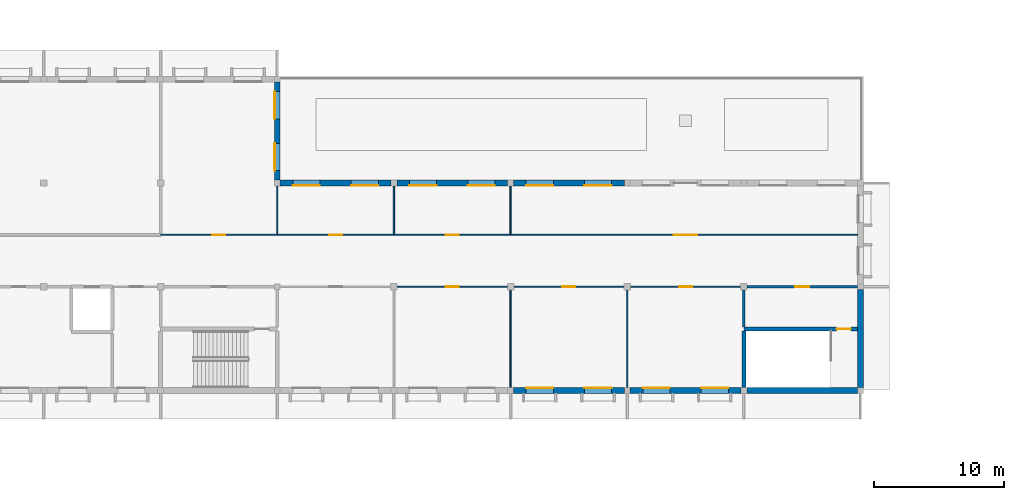
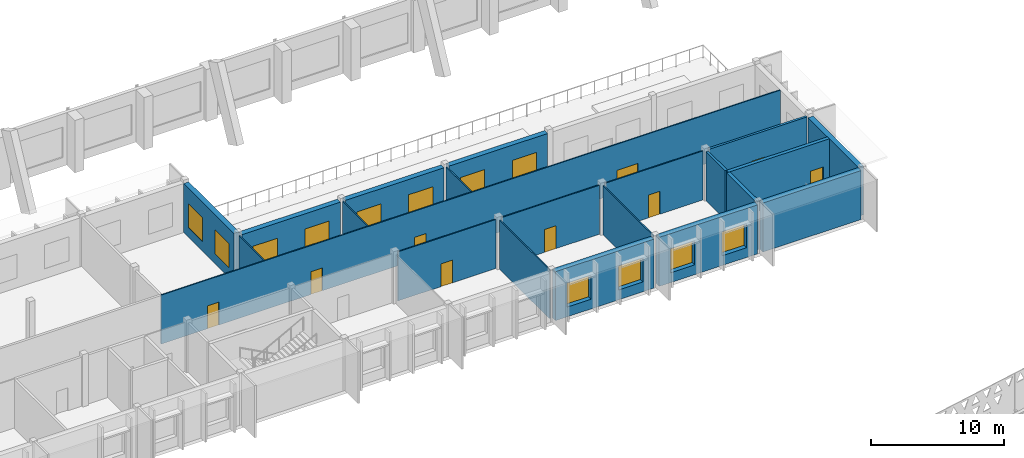
# One storey, part 128 of 182: 21 walls, 12 windows, 9 doors, 21 openings.
"""IFC4 building model written with IfcOpenShell, lengths in metres."""

from ifc_helpers import new_model, si_unit, direction, frame, frame_2d, origin, place, context, subcontext, project, spatial, rectangle, extrude, material, layer, layer_set, type_object, element, fill, save


model = new_model("IFC4")

# Units and contexts
model_context = context("Model", 3, precision=1e-05, world=origin(), true_north=direction((0.0, 1.0)))
body_context = subcontext(model_context, "Body", "Model", "MODEL_VIEW")
ifc_project = project(units=[si_unit("LENGTHUNIT", "METRE"), si_unit("AREAUNIT", "SQUARE_METRE"), si_unit("VOLUMEUNIT", "CUBIC_METRE"), si_unit("PLANEANGLEUNIT", "RADIAN"), si_unit("MASSUNIT", "GRAM", prefix="KILO")], contexts=[model_context])

# Site, building, storey
site_placement = place(None, origin())
site = spatial("IfcSite", under=ifc_project, at=site_placement, CompositionType="ELEMENT")
building_placement = place(site_placement, origin())
building = spatial("IfcBuilding", under=site, at=building_placement, Name="Okhra Congress Centre", CompositionType="ELEMENT")
storey_placement = place(building_placement, frame((0.0, 0.0, 7.199951171875)))
storey = spatial("IfcBuildingStorey", under=building, at=storey_placement, Name="L01", CompositionType="ELEMENT", Elevation=7.199951171875)

# Wall, opening, door
ifc_material_1 = material(Name="Masonry blockwork (aerated concrete D500)", Category="masonry")
ifc_layer_1 = layer(ifc_material_1, 0.199951171875)
ifc_layer_set_1 = layer_set([ifc_layer_1], Name="Masonry block wall 200 EI 45")
wall_type_1 = type_object("IfcWallType", Name="Masonry block wall 200 EI 45", PredefinedType="SOLIDWALL", material=ifc_layer_set_1)
wall_1_placement = place(storey_placement, frame((109.25, 104.0, 0.0), z_axis=(0.0, 0.0, 1.0), x_axis=(1.0, 0.0, 0.0)))
wall_1 = element("IfcWall", 1, at=wall_1_placement, inside=storey, type_object=wall_type_1, Name="SV.WALL.L01.27", PredefinedType="SOLIDWALL", context=body_context, shape_type="SweptSolid", body=[
    extrude(rectangle(XDim=8.52490234375, YDim=0.199951171875, at=frame_2d((4.262451171875, 0.0))), origin(), (0.0, 0.0, 1.0), 4.5),
])
opening_1_placement = place(wall_1_placement, frame((3.699951171875, 0.0, 0.0)))
opening_1 = element("IfcOpeningElement", 2, at=opening_1_placement, cuts=wall_1, Name="Opening L01-036", PredefinedType="OPENING", context=body_context, shape_type="SweptSolid", body=[
    extrude(rectangle(XDim=1.10009765625, YDim=2.10009765625, at=frame_2d((0.550048828125, 1.050048828125))), frame((0.0, 0.10986328125, 0.0), z_axis=(0.0, -1.0, 0.0), x_axis=(1.0, 0.0, 0.0)), (0.0, 0.0, 1.0), 0.219970703125),
])
ifc_material_2 = material(Name="Steel fire door leaf in steel frame, intumescent seals", Category="steel")
door_type_1 = type_object("IfcDoorType", Name="Steel fire door 1100x2100 EI 30", OperationType="NOTDEFINED", PredefinedType="DOOR", material=ifc_material_2)
door_1_placement = place(opening_1_placement, frame((1.10009765625, 0.0, 0.0), z_axis=(0.0, 0.0, 1.0), x_axis=(-1.0, 0.0, 0.0)))
door_1 = element("IfcDoor", 3, at=door_1_placement, inside=storey, type_object=door_type_1, Name="Door L01-036", OperationType="SINGLE_SWING_RIGHT", OverallHeight=2.10009765625, OverallWidth=1.10009765625, PredefinedType="DOOR", context=body_context, shape_type="SweptSolid", body=[
    extrude(rectangle(XDim=1.10009765625, YDim=2.10009765625, at=frame_2d((0.550048828125, 1.050048828125))), frame((0.0, 0.02490234375, 0.0), z_axis=(0.0, -1.0, 0.0), x_axis=(1.0, 0.0, 0.0)), (0.0, 0.0, 1.0), 0.050048828125),
])
fill(opening_1, door_1)

# Wall
wall_2_placement = place(storey_placement, frame((109.0, 100.875, 0.0), z_axis=(0.0, 0.0, 1.0), x_axis=(0.0, 1.0, 0.0)))
element("IfcWall", 4, at=wall_2_placement, inside=storey, type_object=wall_type_1, Name="SV.WALL.L01.63", PredefinedType="SOLIDWALL", context=body_context, shape_type="SweptSolid", body=[
    extrude(rectangle(XDim=2.875, YDim=0.199951171875, at=frame_2d((1.4375, 0.0))), origin(), (0.0, 0.0, 1.0), 4.5),
])

# Wall, opening, door
ifc_material_3 = material(Name="Gypsum board on steel studs", Category="steel")
ifc_layer_2 = layer(ifc_material_3, 0.10009765625)
ifc_layer_set_2 = layer_set([ifc_layer_2], Name="Partition 100 EI 15")
wall_type_2 = type_object("IfcWallType", Name="Partition 100 EI 15", PredefinedType="PARTITIONING", material=ifc_layer_set_2)
wall_3_placement = place(storey_placement, frame((82.25, 104.0, 0.0), z_axis=(0.0, 0.0, 1.0), x_axis=(1.0, 0.0, 0.0)))
wall_3 = element("IfcWall", 5, at=wall_3_placement, inside=storey, type_object=wall_type_2, Name="SV.WALL.L01.24", PredefinedType="PARTITIONING", context=body_context, shape_type="SweptSolid", body=[
    extrude(rectangle(XDim=8.5, YDim=0.10009765625, at=frame_2d((4.25, 0.0))), origin(), (0.0, 0.0, 1.0), 4.5),
])
opening_2_placement = place(wall_3_placement, frame((3.75, 0.0, 0.0)))
opening_2 = element("IfcOpeningElement", 6, at=opening_2_placement, cuts=wall_3, Name="Opening L01-044", PredefinedType="OPENING", context=body_context, shape_type="SweptSolid", body=[
    extrude(rectangle(XDim=1.0, YDim=2.10009765625, at=frame_2d((0.5, 1.050048828125))), frame((0.0, 0.06005859375, 0.0), z_axis=(0.0, -1.0, 0.0), x_axis=(1.0, 0.0, 0.0)), (0.0, 0.0, 1.0), 0.1201171875),
])
ifc_material_4 = material(Name="Timber door leaf in steel frame", Category="steel")
door_type_2 = type_object("IfcDoorType", Name="Single swing door 1000x2100", OperationType="NOTDEFINED", PredefinedType="DOOR", material=ifc_material_4)
door_2_placement = place(opening_2_placement, origin())
door_2 = element("IfcDoor", 7, at=door_2_placement, inside=storey, type_object=door_type_2, Name="Door L01-044", OperationType="SINGLE_SWING_LEFT", OverallHeight=2.10009765625, OverallWidth=1.0, PredefinedType="DOOR", context=body_context, shape_type="SweptSolid", body=[
    extrude(rectangle(XDim=1.0, YDim=2.10009765625, at=frame_2d((0.5, 1.050048828125))), frame((0.0, 0.02490234375, 0.0), z_axis=(0.0, -1.0, 0.0), x_axis=(1.0, 0.0, 0.0)), (0.0, 0.0, 1.0), 0.050048828125),
])
fill(opening_2, door_2)

wall_4_placement = place(storey_placement, frame((91.25, 104.0, 0.0), z_axis=(0.0, 0.0, 1.0), x_axis=(1.0, 0.0, 0.0)))
wall_4 = element("IfcWall", 8, at=wall_4_placement, inside=storey, type_object=wall_type_2, Name="SV.WALL.L01.25", PredefinedType="PARTITIONING", context=body_context, shape_type="SweptSolid", body=[
    extrude(rectangle(XDim=8.5, YDim=0.10009765625, at=frame_2d((4.25, 0.0))), origin(), (0.0, 0.0, 1.0), 4.5),
])
opening_3_placement = place(wall_4_placement, frame((3.75, 0.0, 0.0)))
opening_3 = element("IfcOpeningElement", 9, at=opening_3_placement, cuts=wall_4, Name="Opening L01-045", PredefinedType="OPENING", context=body_context, shape_type="SweptSolid", body=[
    extrude(rectangle(XDim=1.0, YDim=2.10009765625, at=frame_2d((0.5, 1.050048828125))), frame((0.0, 0.06005859375, 0.0), z_axis=(0.0, -1.0, 0.0), x_axis=(1.0, 0.0, 0.0)), (0.0, 0.0, 1.0), 0.1201171875),
])
door_3_placement = place(opening_3_placement, origin())
door_3 = element("IfcDoor", 10, at=door_3_placement, inside=storey, type_object=door_type_2, Name="Door L01-045", OperationType="SINGLE_SWING_RIGHT", OverallHeight=2.10009765625, OverallWidth=1.0, PredefinedType="DOOR", context=body_context, shape_type="SweptSolid", body=[
    extrude(rectangle(XDim=1.0, YDim=2.10009765625, at=frame_2d((0.5, 1.050048828125))), frame((0.0, 0.02490234375, 0.0), z_axis=(0.0, -1.0, 0.0), x_axis=(1.0, 0.0, 0.0)), (0.0, 0.0, 1.0), 0.050048828125),
])
fill(opening_3, door_3)

wall_5_placement = place(storey_placement, frame((100.25, 104.0, 0.0), z_axis=(0.0, 0.0, 1.0), x_axis=(1.0, 0.0, 0.0)))
wall_5 = element("IfcWall", 11, at=wall_5_placement, inside=storey, type_object=wall_type_2, Name="SV.WALL.L01.26", PredefinedType="PARTITIONING", context=body_context, shape_type="SweptSolid", body=[
    extrude(rectangle(XDim=8.5, YDim=0.10009765625, at=frame_2d((4.25, 0.0))), origin(), (0.0, 0.0, 1.0), 4.5),
])
opening_4_placement = place(wall_5_placement, frame((3.75, 0.0, 0.0)))
opening_4 = element("IfcOpeningElement", 12, at=opening_4_placement, cuts=wall_5, Name="Opening L01-046", PredefinedType="OPENING", context=body_context, shape_type="SweptSolid", body=[
    extrude(rectangle(XDim=1.0, YDim=2.10009765625, at=frame_2d((0.5, 1.050048828125))), frame((0.0, 0.06005859375, 0.0), z_axis=(0.0, -1.0, 0.0), x_axis=(1.0, 0.0, 0.0)), (0.0, 0.0, 1.0), 0.1201171875),
])
door_4_placement = place(opening_4_placement, origin())
door_4 = element("IfcDoor", 13, at=door_4_placement, inside=storey, type_object=door_type_2, Name="Door L01-046", OperationType="SINGLE_SWING_LEFT", OverallHeight=2.10009765625, OverallWidth=1.0, PredefinedType="DOOR", context=body_context, shape_type="SweptSolid", body=[
    extrude(rectangle(XDim=1.0, YDim=2.10009765625, at=frame_2d((0.5, 1.050048828125))), frame((0.0, 0.02490234375, 0.0), z_axis=(0.0, -1.0, 0.0), x_axis=(1.0, 0.0, 0.0)), (0.0, 0.0, 1.0), 0.050048828125),
])
fill(opening_4, door_4)

# Wall, openings, doors
wall_6_placement = place(storey_placement, frame((64.0, 108.0, 0.0), z_axis=(0.0, 0.0, 1.0), x_axis=(1.0, 0.0, 0.0)))
wall_6 = element("IfcWall", 14, at=wall_6_placement, inside=storey, type_object=wall_type_2, Name="SV.WALL.L01.29", PredefinedType="PARTITIONING", context=body_context, shape_type="SweptSolid", body=[
    extrude(rectangle(XDim=53.77490234375, YDim=0.10009765625, at=frame_2d((26.887451171875, 0.0))), origin(), (0.0, 0.0, 1.0), 4.5),
])
opening_5_placement = place(wall_6_placement, frame((4.0, 0.0, 0.0)))
opening_5 = element("IfcOpeningElement", 15, at=opening_5_placement, cuts=wall_6, Name="Opening L01-042", PredefinedType="OPENING", context=body_context, shape_type="SweptSolid", body=[
    extrude(rectangle(XDim=1.0, YDim=2.10009765625, at=frame_2d((0.5, 1.050048828125))), frame((0.0, 0.06005859375, 0.0), z_axis=(0.0, -1.0, 0.0), x_axis=(1.0, 0.0, 0.0)), (0.0, 0.0, 1.0), 0.1201171875),
])
opening_6_placement = place(wall_6_placement, frame((13.0, 0.0, 0.0)))
opening_6 = element("IfcOpeningElement", 16, at=opening_6_placement, cuts=wall_6, Name="Opening L01-047", PredefinedType="OPENING", context=body_context, shape_type="SweptSolid", body=[
    extrude(rectangle(XDim=1.0, YDim=2.10009765625, at=frame_2d((0.5, 1.050048828125))), frame((0.0, 0.06005859375, 0.0), z_axis=(0.0, -1.0, 0.0), x_axis=(1.0, 0.0, 0.0)), (0.0, 0.0, 1.0), 0.1201171875),
])
opening_7_placement = place(wall_6_placement, frame((22.0, 0.0, 0.0)))
opening_7 = element("IfcOpeningElement", 17, at=opening_7_placement, cuts=wall_6, Name="Opening L01-048", PredefinedType="OPENING", context=body_context, shape_type="SweptSolid", body=[
    extrude(rectangle(XDim=1.0, YDim=2.10009765625, at=frame_2d((0.5, 1.050048828125))), frame((0.0, 0.06005859375, 0.0), z_axis=(0.0, -1.0, 0.0), x_axis=(1.0, 0.0, 0.0)), (0.0, 0.0, 1.0), 0.1201171875),
])
opening_8_placement = place(wall_6_placement, frame((39.60009765625, 0.0, 0.0)))
opening_8 = element("IfcOpeningElement", 18, at=opening_8_placement, cuts=wall_6, Name="Opening L01-049", PredefinedType="OPENING", context=body_context, shape_type="SweptSolid", body=[
    extrude(rectangle(XDim=1.800048828125, YDim=2.10009765625, at=frame_2d((0.89990234375, 1.050048828125))), frame((0.0, 0.06005859375, 0.0), z_axis=(0.0, -1.0, 0.0), x_axis=(1.0, 0.0, 0.0)), (0.0, 0.0, 1.0), 0.1201171875),
])
ifc_material_5 = material(Name="Timber door leaves in steel frame", Category="steel")
door_type_3 = type_object("IfcDoorType", Name="Double swing door 1800x2100", OperationType="NOTDEFINED", PredefinedType="DOOR", material=ifc_material_5)
door_5_placement = place(opening_8_placement, frame((1.800048828125, 0.0, 0.0), z_axis=(0.0, 0.0, 1.0), x_axis=(-1.0, 0.0, 0.0)))
door_5 = element("IfcDoor", 19, at=door_5_placement, inside=storey, type_object=door_type_3, Name="Door L01-049", OperationType="DOUBLE_DOOR_SINGLE_SWING", OverallHeight=2.10009765625, OverallWidth=1.800048828125, PredefinedType="DOOR", context=body_context, shape_type="SweptSolid", body=[
    extrude(rectangle(XDim=1.800048828125, YDim=2.10009765625, at=frame_2d((0.89990234375, 1.050048828125))), frame((0.0, 0.02490234375, 0.0), z_axis=(0.0, -1.0, 0.0), x_axis=(1.0, 0.0, 0.0)), (0.0, 0.0, 1.0), 0.050048828125),
])
fill(opening_8, door_5)
door_6_placement = place(opening_5_placement, frame((1.0, 0.0, 0.0), z_axis=(0.0, 0.0, 1.0), x_axis=(-1.0, 0.0, 0.0)))
door_6 = element("IfcDoor", 20, at=door_6_placement, inside=storey, type_object=door_type_2, Name="Door L01-042", OperationType="SINGLE_SWING_RIGHT", OverallHeight=2.10009765625, OverallWidth=1.0, PredefinedType="DOOR", context=body_context, shape_type="SweptSolid", body=[
    extrude(rectangle(XDim=1.0, YDim=2.10009765625, at=frame_2d((0.5, 1.050048828125))), frame((0.0, 0.02490234375, 0.0), z_axis=(0.0, -1.0, 0.0), x_axis=(1.0, 0.0, 0.0)), (0.0, 0.0, 1.0), 0.050048828125),
])
fill(opening_5, door_6)
door_7_placement = place(opening_6_placement, frame((1.0, 0.0, 0.0), z_axis=(0.0, 0.0, 1.0), x_axis=(-1.0, 0.0, 0.0)))
door_7 = element("IfcDoor", 21, at=door_7_placement, inside=storey, type_object=door_type_2, Name="Door L01-047", OperationType="SINGLE_SWING_LEFT", OverallHeight=2.10009765625, OverallWidth=1.0, PredefinedType="DOOR", context=body_context, shape_type="SweptSolid", body=[
    extrude(rectangle(XDim=1.0, YDim=2.10009765625, at=frame_2d((0.5, 1.050048828125))), frame((0.0, 0.02490234375, 0.0), z_axis=(0.0, -1.0, 0.0), x_axis=(1.0, 0.0, 0.0)), (0.0, 0.0, 1.0), 0.050048828125),
])
fill(opening_6, door_7)
door_8_placement = place(opening_7_placement, frame((1.0, 0.0, 0.0), z_axis=(0.0, 0.0, 1.0), x_axis=(-1.0, 0.0, 0.0)))
door_8 = element("IfcDoor", 22, at=door_8_placement, inside=storey, type_object=door_type_2, Name="Door L01-048", OperationType="SINGLE_SWING_RIGHT", OverallHeight=2.10009765625, OverallWidth=1.0, PredefinedType="DOOR", context=body_context, shape_type="SweptSolid", body=[
    extrude(rectangle(XDim=1.0, YDim=2.10009765625, at=frame_2d((0.5, 1.050048828125))), frame((0.0, 0.02490234375, 0.0), z_axis=(0.0, -1.0, 0.0), x_axis=(1.0, 0.0, 0.0)), (0.0, 0.0, 1.0), 0.050048828125),
])
fill(opening_7, door_8)

# Walls
for number, where, z_axis, x_axis, name in (
    (23, (73.0, 108.050048828125, 0.0), (0.0, 0.0, 1.0), (0.0, 1.0, 0.0), "SV.WALL.L01.55"),
    (24, (82.0, 108.050048828125, 0.0), (0.0, 0.0, 1.0), (0.0, 1.0, 0.0), "SV.WALL.L01.58"),
):
    element("IfcWall", number, at=place(storey_placement, frame(where, z_axis=z_axis, x_axis=x_axis)), inside=storey, type_object=wall_type_2, Name=name, PredefinedType="PARTITIONING", context=body_context, shape_type="SweptSolid", body=[
        extrude(rectangle(XDim=3.724853515625, YDim=0.10009765625, at=frame_2d((1.8623046875, 0.0))), origin(), (0.0, 0.0, 1.0), 4.5),
    ])
wall_7_placement = place(storey_placement, frame((91.0, 96.22509765625, 0.0), z_axis=(0.0, 0.0, 1.0), x_axis=(0.0, 1.0, 0.0)))
element("IfcWall", 25, at=wall_7_placement, inside=storey, type_object=wall_type_2, Name="SV.WALL.L01.59", PredefinedType="PARTITIONING", context=body_context, shape_type="SweptSolid", body=[
    extrude(rectangle(XDim=7.52490234375, YDim=0.10009765625, at=frame_2d((3.762451171875, 0.0))), origin(), (0.0, 0.0, 1.0), 4.5),
])
wall_8_placement = place(storey_placement, frame((91.0, 108.050048828125, 0.0), z_axis=(0.0, 0.0, 1.0), x_axis=(0.0, 1.0, 0.0)))
element("IfcWall", 26, at=wall_8_placement, inside=storey, type_object=wall_type_2, Name="SV.WALL.L01.60", PredefinedType="PARTITIONING", context=body_context, shape_type="SweptSolid", body=[
    extrude(rectangle(XDim=3.724853515625, YDim=0.10009765625, at=frame_2d((1.8623046875, 0.0))), origin(), (0.0, 0.0, 1.0), 4.5),
])
wall_9_placement = place(storey_placement, frame((100.0, 96.22509765625, 0.0), z_axis=(0.0, 0.0, 1.0), x_axis=(0.0, 1.0, 0.0)))
element("IfcWall", 27, at=wall_9_placement, inside=storey, type_object=wall_type_2, Name="SV.WALL.L01.61", PredefinedType="PARTITIONING", context=body_context, shape_type="SweptSolid", body=[
    extrude(rectangle(XDim=7.52490234375, YDim=0.10009765625, at=frame_2d((3.762451171875, 0.0))), origin(), (0.0, 0.0, 1.0), 4.5),
])

# Wall, opening, door
ifc_material_6 = material(Name="Concrete C35/45", Category="concrete")
ifc_layer_3 = layer(ifc_material_6, 0.300048828125)
ifc_layer_set_3 = layer_set([ifc_layer_3], Name="RC core wall 300 REI 120 C35/45")
wall_type_3 = type_object("IfcWallType", Name="RC core wall 300 REI 120 C35/45", PredefinedType="SHEAR", material=ifc_layer_set_3)
wall_10_placement = place(storey_placement, frame((109.0, 100.72509765625, 0.0), z_axis=(0.0, 0.0, 1.0), x_axis=(1.0, 0.0, 0.0)))
wall_10 = element("IfcWall", 28, at=wall_10_placement, inside=storey, type_object=wall_type_3, Name="SV.WALL.L01.14", PredefinedType="SHEAR", context=body_context, shape_type="SweptSolid", body=[
    extrude(rectangle(XDim=8.77490234375, YDim=0.300048828125, at=frame_2d((4.387451171875, 0.0))), origin(), (0.0, 0.0, 1.0), 4.5),
])
opening_9_placement = place(wall_10_placement, frame((7.14990234375, 0.0, 0.0)))
opening_9 = element("IfcOpeningElement", 29, at=opening_9_placement, cuts=wall_10, Name="Opening L01-037", PredefinedType="OPENING", context=body_context, shape_type="SweptSolid", body=[
    extrude(rectangle(XDim=1.10009765625, YDim=2.10009765625, at=frame_2d((0.550048828125, 1.050048828125))), frame((0.0, 0.159912109375, 0.0), z_axis=(0.0, -1.0, 0.0), x_axis=(1.0, 0.0, 0.0)), (0.0, 0.0, 1.0), 0.320068359375),
])
door_9_placement = place(opening_9_placement, frame((1.10009765625, 0.0, 0.0), z_axis=(0.0, 0.0, 1.0), x_axis=(-1.0, 0.0, 0.0)))
door_9 = element("IfcDoor", 30, at=door_9_placement, inside=storey, type_object=door_type_1, Name="Door L01-037", OperationType="SINGLE_SWING_LEFT", OverallHeight=2.10009765625, OverallWidth=1.10009765625, PredefinedType="DOOR", context=body_context, shape_type="SweptSolid", body=[
    extrude(rectangle(XDim=1.10009765625, YDim=2.10009765625, at=frame_2d((0.550048828125, 1.050048828125))), frame((0.0, 0.02490234375, 0.0), z_axis=(0.0, -1.0, 0.0), x_axis=(1.0, 0.0, 0.0)), (0.0, 0.0, 1.0), 0.050048828125),
])
fill(opening_9, door_9)

# Walls
wall_11_placement = place(storey_placement, frame((109.0, 96.22509765625, 0.0), z_axis=(0.0, 0.0, 1.0), x_axis=(0.0, 1.0, 0.0)))
element("IfcWall", 31, at=wall_11_placement, inside=storey, type_object=wall_type_3, Name="SV.WALL.L01.62", PredefinedType="SHEAR", context=body_context, shape_type="SweptSolid", body=[
    extrude(rectangle(XDim=4.349853515625, YDim=0.300048828125, at=frame_2d((2.1748046875, 0.0))), origin(), (0.0, 0.0, 1.0), 4.5),
])
ifc_material_7 = material(Name="Concrete C30/37", Category="concrete")
ifc_layer_4 = layer(ifc_material_7, 0.449951171875)
ifc_layer_set_4 = layer_set([ifc_layer_4], Name="RC facade wall 450 REI 120 C30/37")
wall_type_4 = type_object("IfcWallType", Name="RC facade wall 450 REI 120 C30/37", PredefinedType="SOLIDWALL", material=ifc_layer_set_4)
wall_12_placement = place(storey_placement, frame((109.22509765625, 96.0, 0.0), z_axis=(0.0, 0.0, 1.0), x_axis=(1.0, 0.0, 0.0)))
element("IfcWall", 32, at=wall_12_placement, inside=storey, type_object=wall_type_4, Name="SV.WALL.L01.10", PredefinedType="SOLIDWALL", context=body_context, shape_type="SweptSolid", body=[
    extrude(rectangle(XDim=8.5498046875, YDim=0.449951171875, at=frame_2d((4.27490234375, 0.0))), origin(), (0.0, 0.0, 1.0), 4.5),
])
wall_13_placement = place(storey_placement, frame((118.0, 96.22509765625, 0.0), z_axis=(0.0, 0.0, 1.0), x_axis=(0.0, 1.0, 0.0)))
element("IfcWall", 33, at=wall_13_placement, inside=storey, type_object=wall_type_4, Name="SV.WALL.L01.64", PredefinedType="SOLIDWALL", context=body_context, shape_type="SweptSolid", body=[
    extrude(rectangle(XDim=7.5498046875, YDim=0.449951171875, at=frame_2d((3.77490234375, 0.0))), origin(), (0.0, 0.0, 1.0), 4.5),
])

# Wall, openings, windows
ifc_material_8 = material(Name="Render on mineral wool insulation over masonry backing", Category="masonry")
ifc_layer_5 = layer(ifc_material_8, 0.449951171875)
ifc_layer_set_5 = layer_set([ifc_layer_5], Name="Rendered insulated wall 450")
wall_type_5 = type_object("IfcWallType", Name="Rendered insulated wall 450", PredefinedType="SOLIDWALL", material=ifc_layer_set_5)
wall_14_placement = place(storey_placement, frame((91.22509765625, 96.0, 0.0), z_axis=(0.0, 0.0, 1.0), x_axis=(1.0, 0.0, 0.0)))
wall_14 = element("IfcWall", 34, at=wall_14_placement, inside=storey, type_object=wall_type_5, Name="SV.WALL.L01.8", PredefinedType="SOLIDWALL", context=body_context, shape_type="SweptSolid", body=[
    extrude(rectangle(XDim=8.5498046875, YDim=0.449951171875, at=frame_2d((4.27490234375, 0.0))), origin(), (0.0, 0.0, 1.0), 4.5),
])
opening_10_placement = place(wall_14_placement, frame((0.97509765625, 0.0, 0.89990234375)))
opening_10 = element("IfcOpeningElement", 35, at=opening_10_placement, cuts=wall_14, Name="Opening WN15", PredefinedType="OPENING", context=body_context, shape_type="SweptSolid", body=[
    extrude(rectangle(XDim=2.10009765625, YDim=2.199951171875, at=frame_2d((1.050048828125, 1.10009765625))), frame((0.0, 0.23486328125, 0.0), z_axis=(0.0, -1.0, 0.0), x_axis=(1.0, 0.0, 0.0)), (0.0, 0.0, 1.0), 0.469970703125),
])
opening_11_placement = place(wall_14_placement, frame((5.47509765625, 0.0, 0.89990234375)))
opening_11 = element("IfcOpeningElement", 36, at=opening_11_placement, cuts=wall_14, Name="Opening WN15", PredefinedType="OPENING", context=body_context, shape_type="SweptSolid", body=[
    extrude(rectangle(XDim=2.10009765625, YDim=2.199951171875, at=frame_2d((1.050048828125, 1.10009765625))), frame((0.0, 0.23486328125, 0.0), z_axis=(0.0, -1.0, 0.0), x_axis=(1.0, 0.0, 0.0)), (0.0, 0.0, 1.0), 0.469970703125),
])
ifc_material_9 = material(Name="Thermally broken aluminium frame, triple glazing", Category="aluminium")
window_type = type_object("IfcWindowType", Name="Tilt-and-turn window 2100x2200", PartitioningType="SINGLE_PANEL", PredefinedType="WINDOW", material=ifc_material_9)
window_1_placement = place(opening_10_placement, origin())
window_1 = element("IfcWindow", 37, at=window_1_placement, inside=storey, type_object=window_type, Name="SV.WIN.L01.10", OverallHeight=2.199951171875, OverallWidth=2.10009765625, PartitioningType="SINGLE_PANEL", PredefinedType="WINDOW", context=body_context, shape_type="SweptSolid", body=[
    extrude(rectangle(XDim=2.10009765625, YDim=2.199951171875, at=frame_2d((1.050048828125, 1.10009765625))), frame((0.0, 0.215087890625, 0.0), z_axis=(0.0, -1.0, 0.0), x_axis=(1.0, 0.0, 0.0)), (0.0, 0.0, 1.0), 0.06005859375),
])
fill(opening_10, window_1)
window_2_placement = place(opening_11_placement, origin())
window_2 = element("IfcWindow", 38, at=window_2_placement, inside=storey, type_object=window_type, Name="SV.WIN.L01.11", OverallHeight=2.199951171875, OverallWidth=2.10009765625, PartitioningType="SINGLE_PANEL", PredefinedType="WINDOW", context=body_context, shape_type="SweptSolid", body=[
    extrude(rectangle(XDim=2.10009765625, YDim=2.199951171875, at=frame_2d((1.050048828125, 1.10009765625))), frame((0.0, 0.215087890625, 0.0), z_axis=(0.0, -1.0, 0.0), x_axis=(1.0, 0.0, 0.0)), (0.0, 0.0, 1.0), 0.06005859375),
])
fill(opening_11, window_2)

wall_15_placement = place(storey_placement, frame((100.22509765625, 96.0, 0.0), z_axis=(0.0, 0.0, 1.0), x_axis=(1.0, 0.0, 0.0)))
wall_15 = element("IfcWall", 39, at=wall_15_placement, inside=storey, type_object=wall_type_5, Name="SV.WALL.L01.9", PredefinedType="SOLIDWALL", context=body_context, shape_type="SweptSolid", body=[
    extrude(rectangle(XDim=8.5498046875, YDim=0.449951171875, at=frame_2d((4.27490234375, 0.0))), origin(), (0.0, 0.0, 1.0), 4.5),
])
opening_12_placement = place(wall_15_placement, frame((0.97509765625, 0.0, 0.89990234375)))
opening_12 = element("IfcOpeningElement", 40, at=opening_12_placement, cuts=wall_15, Name="Opening WN15", PredefinedType="OPENING", context=body_context, shape_type="SweptSolid", body=[
    extrude(rectangle(XDim=2.10009765625, YDim=2.199951171875, at=frame_2d((1.050048828125, 1.10009765625))), frame((0.0, 0.23486328125, 0.0), z_axis=(0.0, -1.0, 0.0), x_axis=(1.0, 0.0, 0.0)), (0.0, 0.0, 1.0), 0.469970703125),
])
opening_13_placement = place(wall_15_placement, frame((5.47509765625, 0.0, 0.89990234375)))
opening_13 = element("IfcOpeningElement", 41, at=opening_13_placement, cuts=wall_15, Name="Opening WN15", PredefinedType="OPENING", context=body_context, shape_type="SweptSolid", body=[
    extrude(rectangle(XDim=2.10009765625, YDim=2.199951171875, at=frame_2d((1.050048828125, 1.10009765625))), frame((0.0, 0.23486328125, 0.0), z_axis=(0.0, -1.0, 0.0), x_axis=(1.0, 0.0, 0.0)), (0.0, 0.0, 1.0), 0.469970703125),
])
window_3_placement = place(opening_12_placement, origin())
window_3 = element("IfcWindow", 42, at=window_3_placement, inside=storey, type_object=window_type, Name="SV.WIN.L01.12", OverallHeight=2.199951171875, OverallWidth=2.10009765625, PartitioningType="SINGLE_PANEL", PredefinedType="WINDOW", context=body_context, shape_type="SweptSolid", body=[
    extrude(rectangle(XDim=2.10009765625, YDim=2.199951171875, at=frame_2d((1.050048828125, 1.10009765625))), frame((0.0, 0.215087890625, 0.0), z_axis=(0.0, -1.0, 0.0), x_axis=(1.0, 0.0, 0.0)), (0.0, 0.0, 1.0), 0.06005859375),
])
fill(opening_12, window_3)
window_4_placement = place(opening_13_placement, origin())
window_4 = element("IfcWindow", 43, at=window_4_placement, inside=storey, type_object=window_type, Name="SV.WIN.L01.13", OverallHeight=2.199951171875, OverallWidth=2.10009765625, PartitioningType="SINGLE_PANEL", PredefinedType="WINDOW", context=body_context, shape_type="SweptSolid", body=[
    extrude(rectangle(XDim=2.10009765625, YDim=2.199951171875, at=frame_2d((1.050048828125, 1.10009765625))), frame((0.0, 0.215087890625, 0.0), z_axis=(0.0, -1.0, 0.0), x_axis=(1.0, 0.0, 0.0)), (0.0, 0.0, 1.0), 0.06005859375),
])
fill(opening_13, window_4)

wall_16_placement = place(storey_placement, frame((81.77490234375, 112.0, 0.0), z_axis=(0.0, 0.0, 1.0), x_axis=(-1.0, 0.0, 0.0)))
wall_16 = element("IfcWall", 44, at=wall_16_placement, inside=storey, type_object=wall_type_5, Name="SV.WALL.L01.30", PredefinedType="SOLIDWALL", context=body_context, shape_type="SweptSolid", body=[
    extrude(rectangle(XDim=8.5498046875, YDim=0.449951171875, at=frame_2d((4.27490234375, 0.0))), origin(), (0.0, 0.0, 1.0), 4.5),
])
opening_14_placement = place(wall_16_placement, frame((5.47509765625, 0.0, 0.89990234375)))
opening_14 = element("IfcOpeningElement", 45, at=opening_14_placement, cuts=wall_16, Name="Opening WN15", PredefinedType="OPENING", context=body_context, shape_type="SweptSolid", body=[
    extrude(rectangle(XDim=2.10009765625, YDim=2.199951171875, at=frame_2d((1.050048828125, 1.10009765625))), frame((0.0, 0.23486328125, 0.0), z_axis=(0.0, -1.0, 0.0), x_axis=(1.0, 0.0, 0.0)), (0.0, 0.0, 1.0), 0.469970703125),
])
opening_15_placement = place(wall_16_placement, frame((0.97509765625, 0.0, 0.89990234375)))
opening_15 = element("IfcOpeningElement", 46, at=opening_15_placement, cuts=wall_16, Name="Opening WN15", PredefinedType="OPENING", context=body_context, shape_type="SweptSolid", body=[
    extrude(rectangle(XDim=2.10009765625, YDim=2.199951171875, at=frame_2d((1.050048828125, 1.10009765625))), frame((0.0, 0.23486328125, 0.0), z_axis=(0.0, -1.0, 0.0), x_axis=(1.0, 0.0, 0.0)), (0.0, 0.0, 1.0), 0.469970703125),
])
window_5_placement = place(opening_14_placement, origin())
window_5 = element("IfcWindow", 47, at=window_5_placement, inside=storey, type_object=window_type, Name="SV.WIN.L01.14", OverallHeight=2.199951171875, OverallWidth=2.10009765625, PartitioningType="SINGLE_PANEL", PredefinedType="WINDOW", context=body_context, shape_type="SweptSolid", body=[
    extrude(rectangle(XDim=2.10009765625, YDim=2.199951171875, at=frame_2d((1.050048828125, 1.10009765625))), frame((0.0, 0.215087890625, 0.0), z_axis=(0.0, -1.0, 0.0), x_axis=(1.0, 0.0, 0.0)), (0.0, 0.0, 1.0), 0.06005859375),
])
fill(opening_14, window_5)
window_6_placement = place(opening_15_placement, origin())
window_6 = element("IfcWindow", 48, at=window_6_placement, inside=storey, type_object=window_type, Name="SV.WIN.L01.15", OverallHeight=2.199951171875, OverallWidth=2.10009765625, PartitioningType="SINGLE_PANEL", PredefinedType="WINDOW", context=body_context, shape_type="SweptSolid", body=[
    extrude(rectangle(XDim=2.10009765625, YDim=2.199951171875, at=frame_2d((1.050048828125, 1.10009765625))), frame((0.0, 0.215087890625, 0.0), z_axis=(0.0, -1.0, 0.0), x_axis=(1.0, 0.0, 0.0)), (0.0, 0.0, 1.0), 0.06005859375),
])
fill(opening_15, window_6)

wall_17_placement = place(storey_placement, frame((90.77490234375, 112.0, 0.0), z_axis=(0.0, 0.0, 1.0), x_axis=(-1.0, 0.0, 0.0)))
wall_17 = element("IfcWall", 49, at=wall_17_placement, inside=storey, type_object=wall_type_5, Name="SV.WALL.L01.31", PredefinedType="SOLIDWALL", context=body_context, shape_type="SweptSolid", body=[
    extrude(rectangle(XDim=8.5498046875, YDim=0.449951171875, at=frame_2d((4.27490234375, 0.0))), origin(), (0.0, 0.0, 1.0), 4.5),
])
opening_16_placement = place(wall_17_placement, frame((5.47509765625, 0.0, 0.89990234375)))
opening_16 = element("IfcOpeningElement", 50, at=opening_16_placement, cuts=wall_17, Name="Opening WN15", PredefinedType="OPENING", context=body_context, shape_type="SweptSolid", body=[
    extrude(rectangle(XDim=2.10009765625, YDim=2.199951171875, at=frame_2d((1.050048828125, 1.10009765625))), frame((0.0, 0.23486328125, 0.0), z_axis=(0.0, -1.0, 0.0), x_axis=(1.0, 0.0, 0.0)), (0.0, 0.0, 1.0), 0.469970703125),
])
opening_17_placement = place(wall_17_placement, frame((0.97509765625, 0.0, 0.89990234375)))
opening_17 = element("IfcOpeningElement", 51, at=opening_17_placement, cuts=wall_17, Name="Opening WN15", PredefinedType="OPENING", context=body_context, shape_type="SweptSolid", body=[
    extrude(rectangle(XDim=2.10009765625, YDim=2.199951171875, at=frame_2d((1.050048828125, 1.10009765625))), frame((0.0, 0.23486328125, 0.0), z_axis=(0.0, -1.0, 0.0), x_axis=(1.0, 0.0, 0.0)), (0.0, 0.0, 1.0), 0.469970703125),
])
window_7_placement = place(opening_16_placement, origin())
window_7 = element("IfcWindow", 52, at=window_7_placement, inside=storey, type_object=window_type, Name="SV.WIN.L01.16", OverallHeight=2.199951171875, OverallWidth=2.10009765625, PartitioningType="SINGLE_PANEL", PredefinedType="WINDOW", context=body_context, shape_type="SweptSolid", body=[
    extrude(rectangle(XDim=2.10009765625, YDim=2.199951171875, at=frame_2d((1.050048828125, 1.10009765625))), frame((0.0, 0.215087890625, 0.0), z_axis=(0.0, -1.0, 0.0), x_axis=(1.0, 0.0, 0.0)), (0.0, 0.0, 1.0), 0.06005859375),
])
fill(opening_16, window_7)
window_8_placement = place(opening_17_placement, origin())
window_8 = element("IfcWindow", 53, at=window_8_placement, inside=storey, type_object=window_type, Name="SV.WIN.L01.17", OverallHeight=2.199951171875, OverallWidth=2.10009765625, PartitioningType="SINGLE_PANEL", PredefinedType="WINDOW", context=body_context, shape_type="SweptSolid", body=[
    extrude(rectangle(XDim=2.10009765625, YDim=2.199951171875, at=frame_2d((1.050048828125, 1.10009765625))), frame((0.0, 0.215087890625, 0.0), z_axis=(0.0, -1.0, 0.0), x_axis=(1.0, 0.0, 0.0)), (0.0, 0.0, 1.0), 0.06005859375),
])
fill(opening_17, window_8)

wall_18_placement = place(storey_placement, frame((99.77490234375, 112.0, 0.0), z_axis=(0.0, 0.0, 1.0), x_axis=(-1.0, 0.0, 0.0)))
wall_18 = element("IfcWall", 54, at=wall_18_placement, inside=storey, type_object=wall_type_5, Name="SV.WALL.L01.32", PredefinedType="SOLIDWALL", context=body_context, shape_type="SweptSolid", body=[
    extrude(rectangle(XDim=8.5498046875, YDim=0.449951171875, at=frame_2d((4.27490234375, 0.0))), origin(), (0.0, 0.0, 1.0), 4.5),
])
opening_18_placement = place(wall_18_placement, frame((5.47509765625, 0.0, 0.89990234375)))
opening_18 = element("IfcOpeningElement", 55, at=opening_18_placement, cuts=wall_18, Name="Opening WN15", PredefinedType="OPENING", context=body_context, shape_type="SweptSolid", body=[
    extrude(rectangle(XDim=2.10009765625, YDim=2.199951171875, at=frame_2d((1.050048828125, 1.10009765625))), frame((0.0, 0.23486328125, 0.0), z_axis=(0.0, -1.0, 0.0), x_axis=(1.0, 0.0, 0.0)), (0.0, 0.0, 1.0), 0.469970703125),
])
opening_19_placement = place(wall_18_placement, frame((0.97509765625, 0.0, 0.89990234375)))
opening_19 = element("IfcOpeningElement", 56, at=opening_19_placement, cuts=wall_18, Name="Opening WN15", PredefinedType="OPENING", context=body_context, shape_type="SweptSolid", body=[
    extrude(rectangle(XDim=2.10009765625, YDim=2.199951171875, at=frame_2d((1.050048828125, 1.10009765625))), frame((0.0, 0.23486328125, 0.0), z_axis=(0.0, -1.0, 0.0), x_axis=(1.0, 0.0, 0.0)), (0.0, 0.0, 1.0), 0.469970703125),
])
window_9_placement = place(opening_18_placement, origin())
window_9 = element("IfcWindow", 57, at=window_9_placement, inside=storey, type_object=window_type, Name="SV.WIN.L01.18", OverallHeight=2.199951171875, OverallWidth=2.10009765625, PartitioningType="SINGLE_PANEL", PredefinedType="WINDOW", context=body_context, shape_type="SweptSolid", body=[
    extrude(rectangle(XDim=2.10009765625, YDim=2.199951171875, at=frame_2d((1.050048828125, 1.10009765625))), frame((0.0, 0.215087890625, 0.0), z_axis=(0.0, -1.0, 0.0), x_axis=(1.0, 0.0, 0.0)), (0.0, 0.0, 1.0), 0.06005859375),
])
fill(opening_18, window_9)
window_10_placement = place(opening_19_placement, origin())
window_10 = element("IfcWindow", 58, at=window_10_placement, inside=storey, type_object=window_type, Name="SV.WIN.L01.19", OverallHeight=2.199951171875, OverallWidth=2.10009765625, PartitioningType="SINGLE_PANEL", PredefinedType="WINDOW", context=body_context, shape_type="SweptSolid", body=[
    extrude(rectangle(XDim=2.10009765625, YDim=2.199951171875, at=frame_2d((1.050048828125, 1.10009765625))), frame((0.0, 0.215087890625, 0.0), z_axis=(0.0, -1.0, 0.0), x_axis=(1.0, 0.0, 0.0)), (0.0, 0.0, 1.0), 0.06005859375),
])
fill(opening_19, window_10)

wall_19_placement = place(storey_placement, frame((73.0, 112.22509765625, 0.0), z_axis=(0.0, 0.0, 1.0), x_axis=(0.0, 1.0, 0.0)))
wall_19 = element("IfcWall", 59, at=wall_19_placement, inside=storey, type_object=wall_type_5, Name="SV.WALL.L01.56", PredefinedType="SOLIDWALL", context=body_context, shape_type="SweptSolid", body=[
    extrude(rectangle(XDim=7.5498046875, YDim=0.449951171875, at=frame_2d((3.77490234375, 0.0))), origin(), (0.0, 0.0, 1.0), 4.5),
])
opening_20_placement = place(wall_19_placement, frame((0.72509765625, 0.0, 0.89990234375)))
opening_20 = element("IfcOpeningElement", 60, at=opening_20_placement, cuts=wall_19, Name="Opening WN15", PredefinedType="OPENING", context=body_context, shape_type="SweptSolid", body=[
    extrude(rectangle(XDim=2.10009765625, YDim=2.199951171875, at=frame_2d((1.050048828125, 1.10009765625))), frame((0.0, 0.23486328125, 0.0), z_axis=(0.0, -1.0, 0.0), x_axis=(1.0, 0.0, 0.0)), (0.0, 0.0, 1.0), 0.469970703125),
])
opening_21_placement = place(wall_19_placement, frame((4.72509765625, 0.0, 0.89990234375)))
opening_21 = element("IfcOpeningElement", 61, at=opening_21_placement, cuts=wall_19, Name="Opening WN15", PredefinedType="OPENING", context=body_context, shape_type="SweptSolid", body=[
    extrude(rectangle(XDim=2.10009765625, YDim=2.199951171875, at=frame_2d((1.050048828125, 1.10009765625))), frame((0.0, 0.23486328125, 0.0), z_axis=(0.0, -1.0, 0.0), x_axis=(1.0, 0.0, 0.0)), (0.0, 0.0, 1.0), 0.469970703125),
])
window_11_placement = place(opening_20_placement, origin())
window_11 = element("IfcWindow", 62, at=window_11_placement, inside=storey, type_object=window_type, Name="SV.WIN.L01.38", OverallHeight=2.199951171875, OverallWidth=2.10009765625, PartitioningType="SINGLE_PANEL", PredefinedType="WINDOW", context=body_context, shape_type="SweptSolid", body=[
    extrude(rectangle(XDim=2.10009765625, YDim=2.199951171875, at=frame_2d((1.050048828125, 1.10009765625))), frame((0.0, 0.215087890625, 0.0), z_axis=(0.0, -1.0, 0.0), x_axis=(1.0, 0.0, 0.0)), (0.0, 0.0, 1.0), 0.06005859375),
])
fill(opening_20, window_11)
window_12_placement = place(opening_21_placement, origin())
window_12 = element("IfcWindow", 63, at=window_12_placement, inside=storey, type_object=window_type, Name="SV.WIN.L01.39", OverallHeight=2.199951171875, OverallWidth=2.10009765625, PartitioningType="SINGLE_PANEL", PredefinedType="WINDOW", context=body_context, shape_type="SweptSolid", body=[
    extrude(rectangle(XDim=2.10009765625, YDim=2.199951171875, at=frame_2d((1.050048828125, 1.10009765625))), frame((0.0, 0.215087890625, 0.0), z_axis=(0.0, -1.0, 0.0), x_axis=(1.0, 0.0, 0.0)), (0.0, 0.0, 1.0), 0.06005859375),
])
fill(opening_21, window_12)

save(model, "model.ifc")
